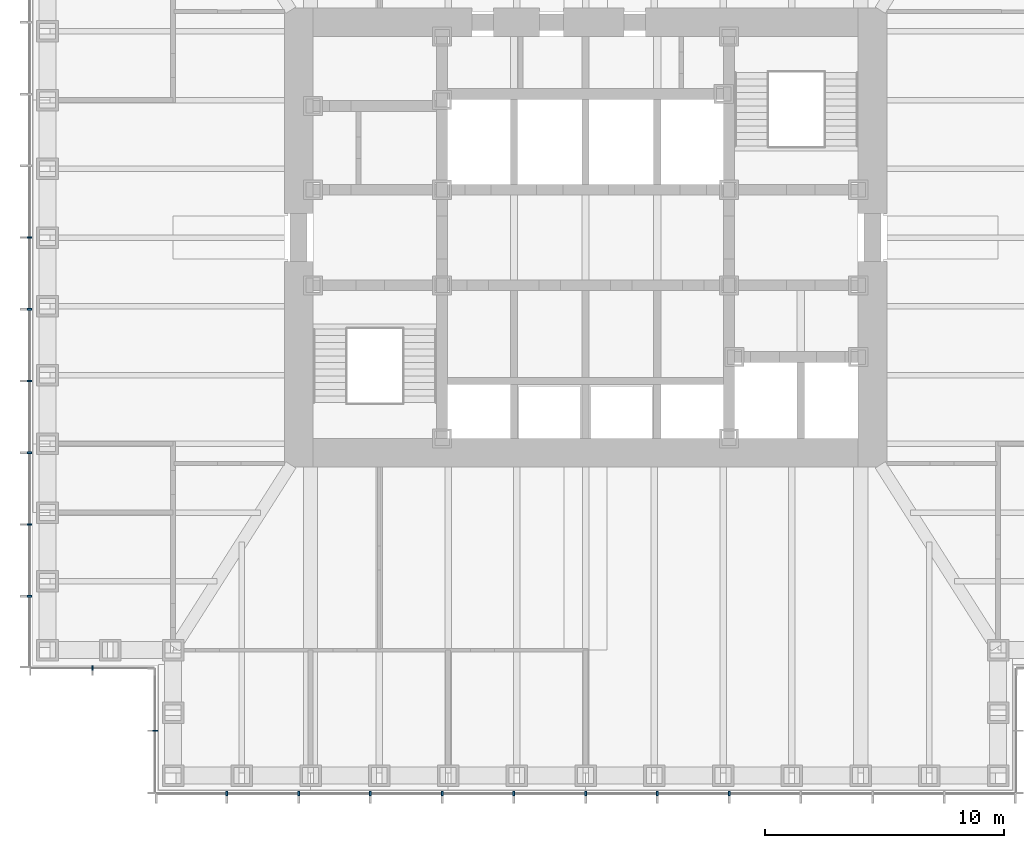
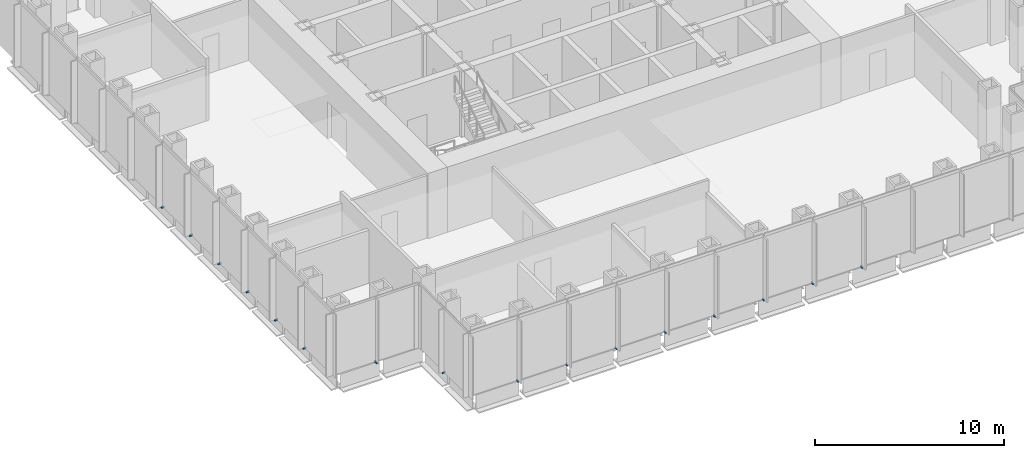
# One storey, part 11 of 16: 16 discrete accessories.
"""IFC4 building model written with IfcOpenShell, lengths in metres."""

from ifc_helpers import new_model, si_unit, direction, frame, origin, origin_2d, place, context, subcontext, project, spatial, rectangle, extrude, element, save


model = new_model("IFC4")

# Units and contexts
model_context = context("Model", 3, precision=1e-05, world=origin(), true_north=direction((0.0, 1.0)))
body_context = subcontext(model_context, "Body", "Model", "MODEL_VIEW")
ifc_project = project(units=[si_unit("LENGTHUNIT", "METRE"), si_unit("AREAUNIT", "SQUARE_METRE"), si_unit("VOLUMEUNIT", "CUBIC_METRE"), si_unit("PLANEANGLEUNIT", "RADIAN"), si_unit("MASSUNIT", "GRAM", prefix="KILO")], contexts=[model_context])

# Site, building, storey
site_placement = place(None, origin())
site = spatial("IfcSite", under=ifc_project, at=site_placement, CompositionType="ELEMENT")
building_placement = place(site_placement, origin())
building = spatial("IfcBuilding", under=site, at=building_placement, Name="Daluyong Arena Tower", CompositionType="ELEMENT")
storey_placement = place(building_placement, frame((0.0, 0.0, 162.699951171875)))
storey = spatial("IfcBuildingStorey", under=building, at=storey_placement, Name="L36", CompositionType="ELEMENT", Elevation=162.699951171875)

# Discrete accessories
for number, where, z_axis, x_axis, name in (
    (1, (41.0, 56.75, -0.10009765625), (0.0, 0.0, 1.0), (1.0, 0.0, 0.0), "curtain wall L36 S anchor bracket 2"),
    (2, (44.0, 56.75, -0.10009765625), (0.0, 0.0, 1.0), (1.0, 0.0, 0.0), "curtain wall L36 S anchor bracket 3"),
    (3, (47.0, 56.75, -0.10009765625), (0.0, 0.0, 1.0), (1.0, 0.0, 0.0), "curtain wall L36 S anchor bracket 4"),
    (4, (50.0, 56.75, -0.10009765625), (0.0, 0.0, 1.0), (1.0, 0.0, 0.0), "curtain wall L36 S anchor bracket 5"),
    (5, (53.0, 56.75, -0.10009765625), (0.0, 0.0, 1.0), (1.0, 0.0, 0.0), "curtain wall L36 S anchor bracket 6"),
    (6, (56.0, 56.75, -0.10009765625), (0.0, 0.0, 1.0), (1.0, 0.0, 0.0), "curtain wall L36 S anchor bracket 7"),
    (7, (59.0, 56.75, -0.10009765625), (0.0, 0.0, 1.0), (1.0, 0.0, 0.0), "curtain wall L36 S anchor bracket 8"),
    (8, (62.0, 56.75, -0.10009765625), (0.0, 0.0, 1.0), (1.0, 0.0, 0.0), "curtain wall L36 S anchor bracket 9"),
    (9, (32.75, 80.0, -0.10009765625), (0.0, 0.0, 1.0), (0.0, -1.0, 0.0), "curtain wall L36 W anchor bracket 7"),
    (10, (32.75, 77.0, -0.10009765625), (0.0, 0.0, 1.0), (0.0, -1.0, 0.0), "curtain wall L36 W anchor bracket 8"),
    (11, (32.75, 74.0, -0.10009765625), (0.0, 0.0, 1.0), (0.0, -1.0, 0.0), "curtain wall L36 W anchor bracket 9"),
    (12, (32.75, 71.0, -0.10009765625), (0.0, 0.0, 1.0), (0.0, -1.0, 0.0), "curtain wall L36 W anchor bracket 10"),
    (13, (32.75, 68.0, -0.10009765625), (0.0, 0.0, 1.0), (0.0, -1.0, 0.0), "curtain wall L36 W anchor bracket 11"),
    (14, (32.75, 65.0, -0.10009765625), (0.0, 0.0, 1.0), (0.0, -1.0, 0.0), "curtain wall L36 W anchor bracket 12"),
):
    element("IfcDiscreteAccessory", number, at=place(storey_placement, frame(where, z_axis=z_axis, x_axis=x_axis)), inside=storey, Name=name, PredefinedType="BRACKET", context=body_context, shape_type="SweptSolid", body=[
        extrude(rectangle(XDim=0.080078125, YDim=0.199951171875, at=origin_2d()), origin(), (0.0, 0.0, 1.0), 0.10009765625),
    ])
for number, where, z_axis, x_axis, name in (
    (15, (35.375, 62.0, -0.10009765625), (0.0, 0.0, 1.0), (1.0, 0.0, 0.0), "curtain wall L36 SW-S anchor bracket 2"),
    (16, (38.0, 59.375, -0.10009765625), (0.0, 0.0, 1.0), (0.0, -1.0, 0.0), "curtain wall L36 SW-W anchor bracket 2"),
):
    element("IfcDiscreteAccessory", number, at=place(storey_placement, frame(where, z_axis=z_axis, x_axis=x_axis)), inside=storey, Name=name, PredefinedType="BRACKET", context=body_context, shape_type="SweptSolid", body=[
        extrude(rectangle(XDim=0.06005859375, YDim=0.199951171875, at=origin_2d()), origin(), (0.0, 0.0, 1.0), 0.10009765625),
    ])

save(model, "model.ifc")
